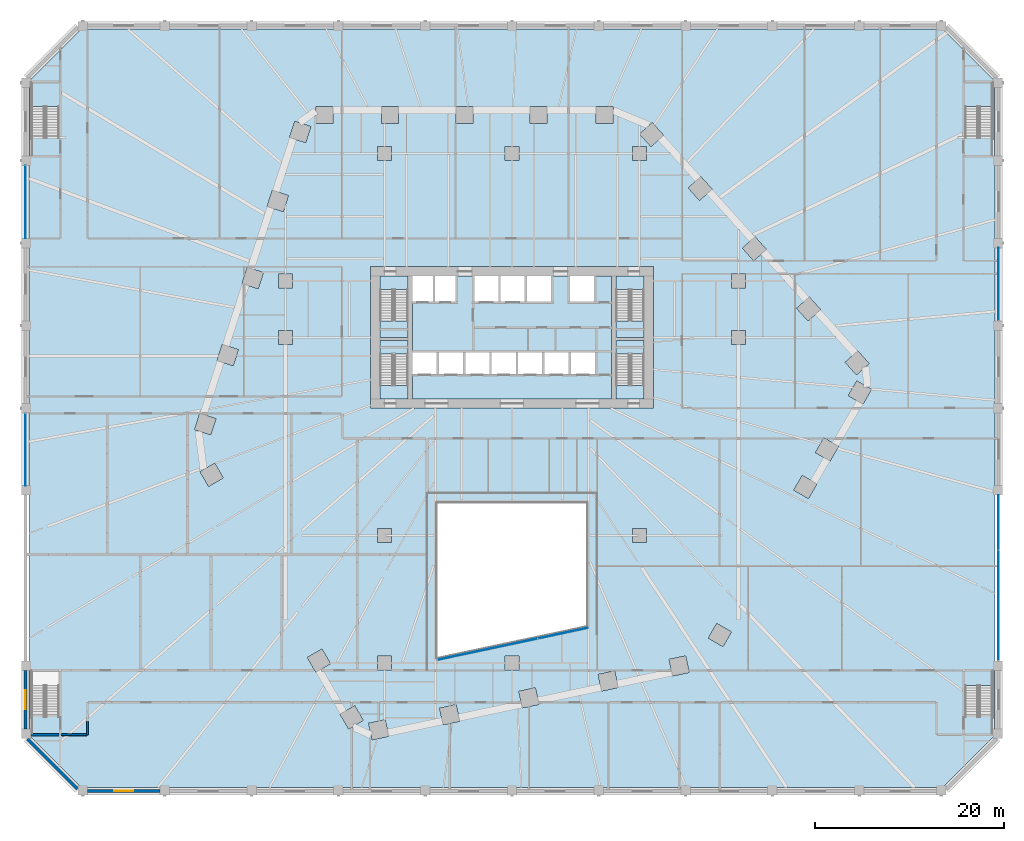
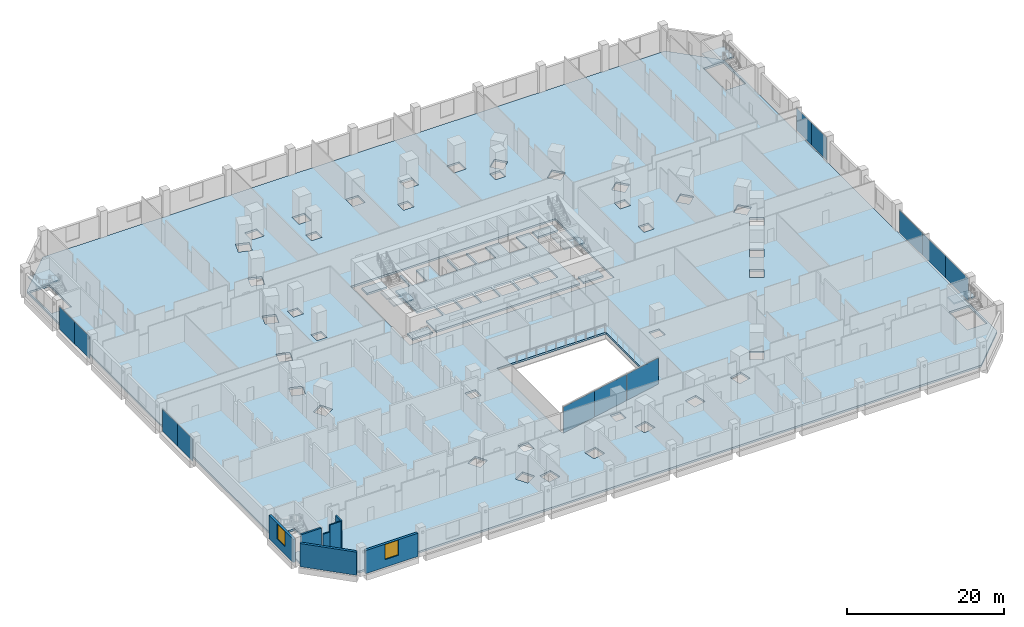
# One storey, part 12 of 33: 13 slabs, 12 plates, 7 walls, 2 windows, 2 openings, 12 elements without a shape of their own.
"""IFC4 building model written with IfcOpenShell, lengths in metres."""

from ifc_helpers import new_model, si_unit, direction, frame, frame_2d, origin, origin_2d, place, context, subcontext, project, spatial, polyline, rectangle, outline, extrude, material, layer, layer_set, type_object, element, fill, aggregate, save


model = new_model("IFC4")

# Units and contexts
model_context = context("Model", 3, precision=1e-05, world=origin(), true_north=direction((0.0, 1.0)))
body_context = subcontext(model_context, "Body", "Model", "MODEL_VIEW")
ifc_project = project(units=[si_unit("LENGTHUNIT", "METRE"), si_unit("AREAUNIT", "SQUARE_METRE"), si_unit("VOLUMEUNIT", "CUBIC_METRE"), si_unit("PLANEANGLEUNIT", "RADIAN"), si_unit("MASSUNIT", "GRAM", prefix="KILO")], contexts=[model_context])

# Site, building, storey
site_placement = place(None, origin())
site = spatial("IfcSite", under=ifc_project, at=site_placement, CompositionType="ELEMENT")
building_placement = place(site_placement, origin())
building = spatial("IfcBuilding", under=site, at=building_placement, Name="Isthmus Gate Tower", CompositionType="ELEMENT")
storey_placement = place(building_placement, frame((0.0, 0.0, 22.5)))
storey = spatial("IfcBuildingStorey", under=building, at=storey_placement, Name="L03", CompositionType="ELEMENT", Elevation=22.5)

# Slabs
ifc_material_1 = material(Name="Concrete f'c 40 MPa", Category="concrete")
ifc_layer_1 = layer(ifc_material_1, 0.300048828125)
ifc_layer_set_1 = layer_set([ifc_layer_1], Name="CORE FLOOR SLAB 300")
slab_type_1 = type_object("IfcSlabType", Name="CORE FLOOR SLAB 300", PredefinedType="FLOOR", material=ifc_layer_set_1)
slab_1_placement = place(storey_placement, frame((0.0, 0.0, -0.300048828125)))
element("IfcSlab", 1, at=slab_1_placement, inside=storey, type_object=slab_type_1, Name="L03 core floor", PredefinedType="FLOOR", context=body_context, shape_type="SweptSolid", body=[
    extrude(outline(polyline([(-11.050048828125, 1.0), (-11.050048828125, 2.402099609375), (-14.0, 2.402099609375), (-14.0, 1.0), (-11.050048828125, 1.0)])), origin(), (0.0, 0.0, 1.0), 0.300048828125),
])
slab_2_placement = place(storey_placement, frame((0.0, 0.0, -0.300048828125)))
element("IfcSlab", 2, at=slab_2_placement, inside=storey, type_object=slab_type_1, Name="L03 core floor", PredefinedType="FLOOR", context=body_context, shape_type="SweptSolid", body=[
    extrude(outline(polyline([(-14.0, 14.0), (-14.0, 12.597900390625), (-11.050048828125, 12.597900390625), (-11.050048828125, 14.0), (-14.0, 14.0)])), origin(), (0.0, 0.0, 1.0), 0.300048828125),
])
slab_3_placement = place(storey_placement, frame((0.0, 0.0, -0.300048828125)))
element("IfcSlab", 3, at=slab_3_placement, inside=storey, type_object=slab_type_1, Name="L03 core floor", PredefinedType="FLOOR", context=body_context, shape_type="SweptSolid", body=[
    extrude(outline(polyline([(10.550048828125, 14.0), (8.699951171875, 14.0), (8.699951171875, 11.300048828125), (6.14990234375, 11.300048828125), (6.14990234375, 14.0), (4.14990234375, 14.0), (4.14990234375, 11.300048828125), (1.60009765625, 11.300048828125), (1.60009765625, 14.0), (1.35009765625, 14.0), (1.35009765625, 11.300048828125), (-1.199951171875, 11.300048828125), (-1.199951171875, 14.0), (-1.449951171875, 14.0), (-1.449951171875, 11.300048828125), (-4.0, 11.300048828125), (-4.0, 14.0), (-6.0, 14.0), (-6.0, 11.300048828125), (-8.14990234375, 11.300048828125), (-8.14990234375, 14.0), (-8.39990234375, 14.0), (-8.39990234375, 11.300048828125), (-10.550048828125, 11.300048828125), (-10.550048828125, 5.89990234375), (-8.0, 5.89990234375), (-8.0, 3.60009765625), (-10.550048828125, 3.60009765625), (-10.550048828125, 1.0), (10.550048828125, 1.0), (10.550048828125, 14.0)]), holes=[polyline([(-5.199951171875, 5.89990234375), (-5.199951171875, 3.60009765625), (-7.75, 3.60009765625), (-7.75, 5.89990234375), (-5.199951171875, 5.89990234375)]), polyline([(-2.39990234375, 5.89990234375), (-2.39990234375, 3.60009765625), (-4.949951171875, 3.60009765625), (-4.949951171875, 5.89990234375), (-2.39990234375, 5.89990234375)]), polyline([(0.39990234375, 5.89990234375), (0.39990234375, 3.60009765625), (-2.14990234375, 3.60009765625), (-2.14990234375, 5.89990234375), (0.39990234375, 5.89990234375)]), polyline([(3.199951171875, 5.89990234375), (3.199951171875, 3.60009765625), (0.64990234375, 3.60009765625), (0.64990234375, 5.89990234375), (3.199951171875, 5.89990234375)]), polyline([(6.0, 5.89990234375), (6.0, 3.60009765625), (3.449951171875, 3.60009765625), (3.449951171875, 5.89990234375), (6.0, 5.89990234375)]), polyline([(8.800048828125, 5.89990234375), (8.800048828125, 3.60009765625), (6.25, 3.60009765625), (6.25, 5.89990234375), (8.800048828125, 5.89990234375)])]), origin(), (0.0, 0.0, 1.0), 0.300048828125),
])
slab_4_placement = place(storey_placement, frame((0.0, 0.0, -0.300048828125)))
element("IfcSlab", 4, at=slab_4_placement, inside=storey, type_object=slab_type_1, Name="L03 core floor", PredefinedType="FLOOR", context=body_context, shape_type="SweptSolid", body=[
    extrude(outline(polyline([(14.0, 1.0), (14.0, 2.402099609375), (11.050048828125, 2.402099609375), (11.050048828125, 1.0), (14.0, 1.0)])), origin(), (0.0, 0.0, 1.0), 0.300048828125),
])
slab_5_placement = place(storey_placement, frame((0.0, 0.0, -0.300048828125)))
element("IfcSlab", 5, at=slab_5_placement, inside=storey, type_object=slab_type_1, Name="L03 core floor", PredefinedType="FLOOR", context=body_context, shape_type="SweptSolid", body=[
    extrude(outline(polyline([(11.050048828125, 14.0), (11.050048828125, 12.597900390625), (14.0, 12.597900390625), (14.0, 14.0), (11.050048828125, 14.0)])), origin(), (0.0, 0.0, 1.0), 0.300048828125),
])

# Curtain wall, plates
ifc_material_2 = material(Name="Aluminium, pale champagne anodised", Category="aluminium")
ifc_layer_2 = layer(ifc_material_2, 0.14990234375)
ifc_layer_set_2 = layer_set([ifc_layer_2], Name="CW-3 STOREFRONT CURTAIN WALL 150 DEEP")
curtain_wall_type_1 = type_object("IfcCurtainWallType", Name="CW-3 STOREFRONT CURTAIN WALL 150 DEEP", PredefinedType="NOTDEFINED", material=ifc_layer_set_2)
curtain_wall_1_placement = place(storey_placement, origin())
curtain_wall_1 = element("IfcCurtainWall", 6, at=curtain_wall_1_placement, inside=storey, type_object=curtain_wall_type_1, Name="CW-3 E L03", PredefinedType="NOTDEFINED")
ifc_material_3 = material(Name="Laminated low-iron glass, clear", Category="glass")
ifc_layer_3 = layer(ifc_material_3, 0.028076171875)
ifc_layer_set_3 = layer_set([ifc_layer_3], Name="CW-3 CLEAR GLASS LITE 28")
plate_type_1 = type_object("IfcPlateType", Name="CW-3 CLEAR GLASS LITE 28", PredefinedType="CURTAIN_PANEL", material=ifc_layer_set_3)
plate_1_placement = place(storey_placement, frame((51.574951171875, -23.836669921875, -0.300048828125), z_axis=(0.0, 0.0, 1.0), x_axis=(0.0, 1.0, 0.0)))
plate_1 = element("IfcPlate", 7, at=plate_1_placement, type_object=plate_type_1, Name="CW-3 glass lite", PredefinedType="CURTAIN_PANEL", context=body_context, shape_type="SweptSolid", body=[
    extrude(rectangle(XDim=5.806640625, YDim=0.028076171875, at=origin_2d()), origin(), (0.0, 0.0, 1.0), 3.47998046875),
])
plate_2_placement = place(storey_placement, frame((51.574951171875, -18.0, -0.300048828125), z_axis=(0.0, 0.0, 1.0), x_axis=(0.0, 1.0, 0.0)))
plate_2 = element("IfcPlate", 8, at=plate_2_placement, type_object=plate_type_1, Name="CW-3 glass lite", PredefinedType="CURTAIN_PANEL", context=body_context, shape_type="SweptSolid", body=[
    extrude(rectangle(XDim=5.86669921875, YDim=0.028076171875, at=origin_2d()), origin(), (0.0, 0.0, 1.0), 3.47998046875),
])
plate_3_placement = place(storey_placement, frame((51.574951171875, -12.103271484375, -0.300048828125), z_axis=(0.0, 0.0, 1.0), x_axis=(0.0, 1.0, 0.0)))
plate_3 = element("IfcPlate", 9, at=plate_3_placement, type_object=plate_type_1, Name="CW-3 glass lite", PredefinedType="CURTAIN_PANEL", context=body_context, shape_type="SweptSolid", body=[
    extrude(rectangle(XDim=5.806640625, YDim=0.028076171875, at=origin_2d()), origin(), (0.0, 0.0, 1.0), 3.47998046875),
])
aggregate(curtain_wall_1, [plate_1, plate_2, plate_3])

curtain_wall_2_placement = place(storey_placement, origin())
curtain_wall_2 = element("IfcCurtainWall", 10, at=curtain_wall_2_placement, inside=storey, type_object=curtain_wall_type_1, Name="CW-3 E L03", PredefinedType="NOTDEFINED")
plate_4_placement = place(storey_placement, frame((51.574951171875, 11.217529296875, -0.300048828125), z_axis=(0.0, 0.0, 1.0), x_axis=(0.0, 1.0, 0.0)))
plate_4 = element("IfcPlate", 11, at=plate_4_placement, type_object=plate_type_1, Name="CW-3 glass lite", PredefinedType="CURTAIN_PANEL", context=body_context, shape_type="SweptSolid", body=[
    extrude(rectangle(XDim=3.81494140625, YDim=0.028076171875, at=origin_2d()), origin(), (0.0, 0.0, 1.0), 3.47998046875),
])
plate_5_placement = place(storey_placement, frame((51.574951171875, 15.0625, -0.300048828125), z_axis=(0.0, 0.0, 1.0), x_axis=(0.0, 1.0, 0.0)))
plate_5 = element("IfcPlate", 12, at=plate_5_placement, type_object=plate_type_1, Name="CW-3 glass lite", PredefinedType="CURTAIN_PANEL", context=body_context, shape_type="SweptSolid", body=[
    extrude(rectangle(XDim=3.875, YDim=0.028076171875, at=origin_2d()), origin(), (0.0, 0.0, 1.0), 3.47998046875),
])
aggregate(curtain_wall_2, [plate_4, plate_5])

curtain_wall_3_placement = place(storey_placement, origin())
curtain_wall_3 = element("IfcCurtainWall", 13, at=curtain_wall_3_placement, inside=storey, type_object=curtain_wall_type_1, Name="CW-3 W L03", PredefinedType="NOTDEFINED")
plate_6_placement = place(storey_placement, frame((-51.574951171875, 23.782470703125, -0.300048828125), z_axis=(0.0, 0.0, 1.0), x_axis=(0.0, -1.0, 0.0)))
plate_6 = element("IfcPlate", 14, at=plate_6_placement, type_object=plate_type_1, Name="CW-3 glass lite", PredefinedType="CURTAIN_PANEL", context=body_context, shape_type="SweptSolid", body=[
    extrude(rectangle(XDim=3.81494140625, YDim=0.028076171875, at=origin_2d()), origin(), (0.0, 0.0, 1.0), 3.47998046875),
])
plate_7_placement = place(storey_placement, frame((-51.574951171875, 19.9375, -0.300048828125), z_axis=(0.0, 0.0, 1.0), x_axis=(0.0, -1.0, 0.0)))
plate_7 = element("IfcPlate", 15, at=plate_7_placement, type_object=plate_type_1, Name="CW-3 glass lite", PredefinedType="CURTAIN_PANEL", context=body_context, shape_type="SweptSolid", body=[
    extrude(rectangle(XDim=3.875, YDim=0.028076171875, at=origin_2d()), origin(), (0.0, 0.0, 1.0), 3.47998046875),
])
aggregate(curtain_wall_3, [plate_6, plate_7])

curtain_wall_4_placement = place(storey_placement, origin())
curtain_wall_4 = element("IfcCurtainWall", 16, at=curtain_wall_4_placement, inside=storey, type_object=curtain_wall_type_1, Name="CW-3 W L03", PredefinedType="NOTDEFINED")
plate_8_placement = place(storey_placement, frame((-51.574951171875, -2.455078125, -0.300048828125), z_axis=(0.0, 0.0, 1.0), x_axis=(0.0, -1.0, 0.0)))
plate_8 = element("IfcPlate", 17, at=plate_8_placement, type_object=plate_type_1, Name="CW-3 glass lite", PredefinedType="CURTAIN_PANEL", context=body_context, shape_type="SweptSolid", body=[
    extrude(rectangle(XDim=3.7900390625, YDim=0.028076171875, at=origin_2d()), origin(), (0.0, 0.0, 1.0), 3.47998046875),
])
plate_9_placement = place(storey_placement, frame((-51.574951171875, -6.27490234375, -0.300048828125), z_axis=(0.0, 0.0, 1.0), x_axis=(0.0, -1.0, 0.0)))
plate_9 = element("IfcPlate", 18, at=plate_9_placement, type_object=plate_type_1, Name="CW-3 glass lite", PredefinedType="CURTAIN_PANEL", context=body_context, shape_type="SweptSolid", body=[
    extrude(rectangle(XDim=3.85009765625, YDim=0.028076171875, at=origin_2d()), origin(), (0.0, 0.0, 1.0), 3.47998046875),
])
aggregate(curtain_wall_4, [plate_8, plate_9])

ifc_material_4 = material(Name="Aluminium, pale champagne anodised", Category="aluminium")
ifc_layer_4 = layer(ifc_material_4, 0.199951171875)
ifc_layer_set_4 = layer_set([ifc_layer_4], Name="CW-4 ATRIUM CURTAIN WALL 200 DEEP")
curtain_wall_type_2 = type_object("IfcCurtainWallType", Name="CW-4 ATRIUM CURTAIN WALL 200 DEEP", PredefinedType="NOTDEFINED", material=ifc_layer_set_4)
curtain_wall_5_placement = place(storey_placement, origin())
curtain_wall_5 = element("IfcCurtainWall", 19, at=curtain_wall_5_placement, inside=storey, type_object=curtain_wall_type_2, Name="CW-4 atrium south L03", PredefinedType="NOTDEFINED")
ifc_material_5 = material(Name="Laminated low-iron glass, clear", Category="glass")
ifc_layer_5 = layer(ifc_material_5, 0.0439453125)
ifc_layer_set_5 = layer_set([ifc_layer_5], Name="CW-4 ATRIUM GLASS PANEL 44")
plate_type_2 = type_object("IfcPlateType", Name="CW-4 ATRIUM GLASS PANEL 44", PredefinedType="CURTAIN_PANEL", material=ifc_layer_set_5)
plate_10_placement = place(storey_placement, frame((-5.262939453125, -26.11572265625, 0.0), z_axis=(0.0, 0.0, 1.0), x_axis=(0.978147600734, 0.207911690818, 0.0)))
plate_10 = element("IfcPlate", 20, at=plate_10_placement, type_object=plate_type_2, Name="CW-4 louvre panel", PredefinedType="CURTAIN_PANEL", context=body_context, shape_type="SweptSolid", body=[
    extrude(rectangle(XDim=5.37255859375, YDim=0.0439453125, at=origin_2d()), origin(), (0.0, 0.0, 1.0), 4.050048828125),
])
plate_11_placement = place(storey_placement, frame((0.03125, -24.990234375, 0.0), z_axis=(0.0, 0.0, 1.0), x_axis=(0.978147600734, 0.207911690818, 0.0)))
plate_11 = element("IfcPlate", 21, at=plate_11_placement, type_object=plate_type_2, Name="CW-4 louvre panel", PredefinedType="CURTAIN_PANEL", context=body_context, shape_type="SweptSolid", body=[
    extrude(rectangle(XDim=5.452392578125, YDim=0.0439453125, at=origin_2d()), origin(), (0.0, 0.0, 1.0), 4.050048828125),
])
plate_12_placement = place(storey_placement, frame((5.403564453125, -23.848388671875, 0.0), z_axis=(0.0, 0.0, 1.0), x_axis=(0.978147600734, 0.207911690818, 0.0)))
plate_12 = element("IfcPlate", 22, at=plate_12_placement, type_object=plate_type_2, Name="CW-4 louvre panel", PredefinedType="CURTAIN_PANEL", context=body_context, shape_type="SweptSolid", body=[
    extrude(rectangle(XDim=5.37255859375, YDim=0.0439453125, at=origin_2d()), origin(), (0.0, 0.0, 1.0), 4.050048828125),
])
aggregate(curtain_wall_5, [plate_10, plate_11, plate_12])

# Slab
ifc_material_6 = material(Name="Concrete f'c 40 MPa", Category="concrete")
ifc_layer_6 = layer(ifc_material_6, 0.300048828125)
ifc_layer_set_6 = layer_set([ifc_layer_6], Name="PODIUM FLOOR SLAB 300")
slab_type_2 = type_object("IfcSlabType", Name="PODIUM FLOOR SLAB 300", PredefinedType="FLOOR", material=ifc_layer_set_6)
slab_6_placement = place(storey_placement, frame((0.0, 0.0, -0.300048828125)))
element("IfcSlab", 23, at=slab_6_placement, inside=storey, type_object=slab_type_2, Name="str-slab-L03-1", PredefinedType="FLOOR", context=body_context, shape_type="SweptSolid", body=[
    extrude(outline(polyline([(-51.199951171875, -34.668701171875), (-51.199951171875, 34.668701171875), (-45.668701171875, 40.199951171875), (45.668701171875, 40.199951171875), (51.199951171875, 34.668701171875), (51.199951171875, -34.668701171875), (45.668701171875, -40.199951171875), (-45.668701171875, -40.199951171875), (-51.199951171875, -34.668701171875)]), holes=[polyline([(-13.06494140625, -34.777099609375), (-13.439208984375, -33.016357421875), (-15.19970703125, -33.390625), (-14.82568359375, -35.1513671875), (-13.06494140625, -34.777099609375)]), polyline([(-17.32470703125, -33.99267578125), (-15.765869140625, -33.0927734375), (-16.666015625, -31.533935546875), (-18.224609375, -32.433837890625), (-17.32470703125, -33.99267578125)]), polyline([(-48.0, -32.52490234375), (-48.0, -27.928955078125), (-50.949951171875, -27.928955078125), (-50.949951171875, -32.52490234375), (-48.0, -32.52490234375)]), polyline([(-21.696533203125, -26.420654296875), (-20.79638671875, -27.9794921875), (-19.237548828125, -27.079345703125), (-20.1376953125, -25.5205078125), (-21.696533203125, -26.420654296875)]), polyline([(-31.5048828125, -5.831787109375), (-33.063720703125, -6.73193359375), (-32.163818359375, -8.290771484375), (-30.60498046875, -7.390869140625), (-31.5048828125, -5.831787109375)]), polyline([(-33.08984375, -0.548828125), (-33.64599609375, -2.2607421875), (-31.93408203125, -2.817138671875), (-31.3779296875, -1.105224609375), (-33.08984375, -0.548828125)]), polyline([(-30.7138671875, 6.76416015625), (-31.27001953125, 5.052001953125), (-29.55810546875, 4.495849609375), (-29.001953125, 6.207763671875), (-30.7138671875, 6.76416015625)]), polyline([(-24.75, 8.25), (-24.75, 6.75), (-23.25, 6.75), (-23.25, 8.25), (-24.75, 8.25)]), polyline([(-24.75, 12.75), (-23.25, 12.75), (-23.25, 14.25), (-24.75, 14.25), (-24.75, 12.75)]), polyline([(-26.34765625, 14.376708984375), (-28.0595703125, 14.93310546875), (-28.61572265625, 13.22119140625), (-26.90380859375, 12.664794921875), (-26.34765625, 14.376708984375)]), polyline([(-23.693359375, 22.545654296875), (-25.4052734375, 23.10205078125), (-25.96142578125, 21.389892578125), (-24.24951171875, 20.833740234375), (-23.693359375, 22.545654296875)]), polyline([(-14.25, 26.25), (-12.75, 26.25), (-12.75, 27.75), (-14.25, 27.75), (-14.25, 26.25)]), polyline([(-23.585205078125, 28.702880859375), (-21.873291015625, 28.146728515625), (-21.317138671875, 29.858642578125), (-23.029052734375, 30.4150390625), (-23.585205078125, 28.702880859375)]), polyline([(-20.776123046875, 32.0), (-20.776123046875, 30.199951171875), (-18.976318359375, 30.199951171875), (-18.976318359375, 32.0), (-20.776123046875, 32.0)]), polyline([(-50.949951171875, 28.824951171875), (-48.0, 28.824951171875), (-48.0, 34.425048828125), (-50.949951171875, 34.425048828125), (-50.949951171875, 28.824951171875)]), polyline([(-7.30419921875, -33.552490234375), (-5.543701171875, -33.17822265625), (-5.917724609375, -31.417724609375), (-7.678466796875, -31.7919921875), (-7.30419921875, -33.552490234375)]), polyline([(2.858154296875, -31.392578125), (2.48388671875, -29.6318359375), (0.72314453125, -30.006103515625), (1.097412109375, -31.7666015625), (2.858154296875, -31.392578125)]), polyline([(9.4990234375, -29.98095703125), (11.259765625, -29.606689453125), (10.885498046875, -27.845947265625), (9.124755859375, -28.22021484375), (9.4990234375, -29.98095703125)]), polyline([(-14.25, -26.25), (-14.25, -27.75), (-12.75, -27.75), (-12.75, -26.25), (-14.25, -26.25)]), polyline([(-0.75, -27.75), (0.75, -27.75), (0.75, -26.25), (-0.75, -26.25), (-0.75, -27.75)]), polyline([(-8.0, -10.0), (-8.0, -26.544189453125), (8.0, -23.143310546875), (8.0, -10.0), (-8.0, -10.0)]), polyline([(-14.25, -12.75), (-14.25, -14.25), (-12.75, -14.25), (-12.75, -12.75), (-14.25, -12.75)]), polyline([(12.75, -14.25), (14.25, -14.25), (14.25, -12.75), (12.75, -12.75), (12.75, -14.25)]), polyline([(15.0, 0.0), (15.0, 15.0), (-15.0, 15.0), (-15.0, 0.0), (15.0, 0.0)]), polyline([(-0.75, 26.25), (0.75, 26.25), (0.75, 27.75), (-0.75, 27.75), (-0.75, 26.25)]), polyline([(12.75, 27.75), (12.75, 26.25), (14.25, 26.25), (14.25, 27.75), (12.75, 27.75)]), polyline([(-12.006591796875, 30.199951171875), (-12.006591796875, 32.0), (-13.806640625, 32.0), (-13.806640625, 30.199951171875), (-12.006591796875, 30.199951171875)]), polyline([(-4.13720703125, 32.0), (-5.937255859375, 32.0), (-5.937255859375, 30.199951171875), (-4.13720703125, 30.199951171875), (-4.13720703125, 32.0)]), polyline([(3.732421875, 30.199951171875), (3.732421875, 32.0), (1.932373046875, 32.0), (1.932373046875, 30.199951171875), (3.732421875, 30.199951171875)]), polyline([(10.701904296875, 30.199951171875), (10.701904296875, 32.0), (8.90185546875, 32.0), (8.90185546875, 30.199951171875), (10.701904296875, 30.199951171875)]), polyline([(50.949951171875, -32.52490234375), (50.949951171875, -27.928955078125), (48.0, -27.928955078125), (48.0, -32.52490234375), (50.949951171875, -32.52490234375)]), polyline([(17.020263671875, -28.382080078125), (18.781005859375, -28.008056640625), (18.40673828125, -26.247314453125), (16.64599609375, -26.62158203125), (17.020263671875, -28.382080078125)]), polyline([(22.36181640625, -25.26806640625), (23.261962890625, -23.709228515625), (21.702880859375, -22.80908203125), (20.802978515625, -24.3681640625), (22.36181640625, -25.26806640625)]), polyline([(32.319580078125, -8.0205078125), (30.760986328125, -7.12060546875), (29.86083984375, -8.679443359375), (31.419677734375, -9.579345703125), (32.319580078125, -8.0205078125)]), polyline([(34.6162109375, -4.04296875), (33.057373046875, -3.14306640625), (32.1572265625, -4.701904296875), (33.71630859375, -5.601806640625), (34.6162109375, -4.04296875)]), polyline([(37.200927734375, 0.433837890625), (38.100830078125, 1.99267578125), (36.5419921875, 2.892578125), (35.64208984375, 1.333984375), (37.200927734375, 0.433837890625)]), polyline([(36.51708984375, 3.531982421875), (37.854736328125, 4.736328125), (36.650146484375, 6.073974609375), (35.3125, 4.869384765625), (36.51708984375, 3.531982421875)]), polyline([(23.25, 8.25), (23.25, 6.75), (24.75, 6.75), (24.75, 8.25), (23.25, 8.25)]), polyline([(31.505126953125, 11.788330078125), (30.16748046875, 10.583740234375), (31.371826171875, 9.24609375), (32.70947265625, 10.45068359375), (31.505126953125, 11.788330078125)]), polyline([(23.25, 14.25), (23.25, 12.75), (24.75, 12.75), (24.75, 14.25), (23.25, 14.25)]), polyline([(25.62451171875, 15.62939453125), (26.962158203125, 16.833740234375), (25.7578125, 18.17138671875), (24.419921875, 16.967041015625), (25.62451171875, 15.62939453125)]), polyline([(21.214599609375, 23.216796875), (20.01025390625, 24.554443359375), (18.672607421875, 23.35009765625), (19.877197265625, 22.012451171875), (21.214599609375, 23.216796875)]), polyline([(16.069580078125, 28.93115234375), (14.864990234375, 30.268798828125), (13.52734375, 29.064453125), (14.73193359375, 27.726806640625), (16.069580078125, 28.93115234375)]), polyline([(48.0, 28.824951171875), (50.949951171875, 28.824951171875), (50.949951171875, 34.425048828125), (48.0, 34.425048828125), (48.0, 28.824951171875)])]), origin(), (0.0, 0.0, 1.0), 0.300048828125),
])

# Stair, slab
ifc_material_7 = material(Name="Concrete f'c 40 MPa", Category="concrete")
stair_type_1 = type_object("IfcStairType", Name="Podium exit stair 1400 wide flights", PredefinedType="HALF_TURN_STAIR", material=ifc_material_7)
stair_1_placement = place(storey_placement, origin())
stair_1 = element("IfcStair", 24, at=stair_1_placement, inside=storey, type_object=stair_type_1, Name="L03 Podium Exit Stair ST4", PredefinedType="HALF_TURN_STAIR")
ifc_material_8 = material(Name="Concrete f'c 40 MPa", Category="concrete")
ifc_layer_7 = layer(ifc_material_8, 0.199951171875)
ifc_layer_set_7 = layer_set([ifc_layer_7], Name="Podium stair landing 200")
slab_type_3 = type_object("IfcSlabType", Name="Podium stair landing 200", PredefinedType="LANDING", material=ifc_layer_set_7)
slab_7_placement = place(storey_placement, frame((0.0, 0.0, 2.050048828125)))
slab_7 = element("IfcSlab", 25, at=slab_7_placement, type_object=slab_type_3, Name="ST4 landing 1", PredefinedType="LANDING", context=body_context, shape_type="SweptSolid", body=[
    extrude(outline(polyline([(51.050048828125, -29.364990234375), (51.050048828125, -27.72900390625), (47.89990234375, -27.72900390625), (47.89990234375, -29.364990234375), (51.050048828125, -29.364990234375)])), origin(), (0.0, 0.0, 1.0), 0.199951171875),
])
aggregate(stair_1, [slab_7])

stair_2_placement = place(storey_placement, origin())
stair_2 = element("IfcStair", 26, at=stair_2_placement, inside=storey, type_object=stair_type_1, Name="L03 Podium Exit Stair ST5", PredefinedType="HALF_TURN_STAIR")
slab_8_placement = place(storey_placement, frame((0.0, 0.0, 2.050048828125)))
slab_8 = element("IfcSlab", 27, at=slab_8_placement, type_object=slab_type_3, Name="ST5 landing 1", PredefinedType="LANDING", context=body_context, shape_type="SweptSolid", body=[
    extrude(outline(polyline([(51.050048828125, 31.985107421875), (51.050048828125, 34.625), (47.89990234375, 34.625), (47.89990234375, 31.985107421875), (51.050048828125, 31.985107421875)])), origin(), (0.0, 0.0, 1.0), 0.199951171875),
])
aggregate(stair_2, [slab_8])

stair_3_placement = place(storey_placement, origin())
stair_3 = element("IfcStair", 28, at=stair_3_placement, inside=storey, type_object=stair_type_1, Name="L03 Podium Exit Stair ST6", PredefinedType="HALF_TURN_STAIR")
slab_9_placement = place(storey_placement, frame((0.0, 0.0, 2.050048828125)))
slab_9 = element("IfcSlab", 29, at=slab_9_placement, type_object=slab_type_3, Name="ST6 landing 1", PredefinedType="LANDING", context=body_context, shape_type="SweptSolid", body=[
    extrude(outline(polyline([(-47.89990234375, 31.985107421875), (-47.89990234375, 34.625), (-51.050048828125, 34.625), (-51.050048828125, 31.985107421875), (-47.89990234375, 31.985107421875)])), origin(), (0.0, 0.0, 1.0), 0.199951171875),
])
aggregate(stair_3, [slab_9])

ifc_material_9 = material(Name="Concrete f'c 40 MPa", Category="concrete")
stair_type_2 = type_object("IfcStairType", Name="CORE STAIR 26 RISERS", PredefinedType="HALF_TURN_STAIR", material=ifc_material_9)
stair_4_placement = place(storey_placement, origin())
stair_4 = element("IfcStair", 30, at=stair_4_placement, inside=storey, type_object=stair_type_2, Name="L03 Exit Stair 1", PredefinedType="HALF_TURN_STAIR")
ifc_material_10 = material(Name="Concrete f'c 40 MPa", Category="concrete")
ifc_layer_8 = layer(ifc_material_10, 0.199951171875)
ifc_layer_set_8 = layer_set([ifc_layer_8])
slab_type_4 = type_object("IfcSlabType", Name="STAIR LANDING RC 200", PredefinedType="LANDING", material=ifc_layer_set_8)
slab_10_placement = place(storey_placement, frame((0.0, 0.0, 2.050048828125)))
slab_10 = element("IfcSlab", 31, at=slab_10_placement, type_object=slab_type_4, Name="ST1 landing 1", PredefinedType="LANDING", context=body_context, shape_type="SweptSolid", body=[
    extrude(outline(polyline([(-14.0, 9.239990234375), (-14.0, 7.5), (-11.050048828125, 7.5), (-11.050048828125, 9.239990234375), (-14.0, 9.239990234375)])), origin(), (0.0, 0.0, 1.0), 0.199951171875),
])
aggregate(stair_4, [slab_10])

stair_5_placement = place(storey_placement, origin())
stair_5 = element("IfcStair", 32, at=stair_5_placement, inside=storey, type_object=stair_type_2, Name="L03 Exit Stair 2", PredefinedType="HALF_TURN_STAIR")
slab_11_placement = place(storey_placement, frame((0.0, 0.0, 2.050048828125)))
slab_11 = element("IfcSlab", 33, at=slab_11_placement, type_object=slab_type_4, Name="ST2 landing 1", PredefinedType="LANDING", context=body_context, shape_type="SweptSolid", body=[
    extrude(outline(polyline([(11.050048828125, 9.239990234375), (11.050048828125, 7.5), (14.0, 7.5), (14.0, 9.239990234375), (11.050048828125, 9.239990234375)])), origin(), (0.0, 0.0, 1.0), 0.199951171875),
])
aggregate(stair_5, [slab_11])

stair_6_placement = place(storey_placement, origin())
stair_6 = element("IfcStair", 34, at=stair_6_placement, inside=storey, type_object=stair_type_2, Name="L03 Exit Stair 7", PredefinedType="HALF_TURN_STAIR")
slab_12_placement = place(storey_placement, frame((0.0, 0.0, 2.050048828125)))
slab_12 = element("IfcSlab", 35, at=slab_12_placement, type_object=slab_type_4, Name="ST7 landing 1", PredefinedType="LANDING", context=body_context, shape_type="SweptSolid", body=[
    extrude(outline(polyline([(-11.050048828125, 5.760009765625), (-11.050048828125, 7.199951171875), (-14.0, 7.199951171875), (-14.0, 5.760009765625), (-11.050048828125, 5.760009765625)])), origin(), (0.0, 0.0, 1.0), 0.199951171875),
])
aggregate(stair_6, [slab_12])

stair_7_placement = place(storey_placement, origin())
stair_7 = element("IfcStair", 36, at=stair_7_placement, inside=storey, type_object=stair_type_2, Name="L03 Exit Stair 8", PredefinedType="HALF_TURN_STAIR")
slab_13_placement = place(storey_placement, frame((0.0, 0.0, 2.050048828125)))
slab_13 = element("IfcSlab", 37, at=slab_13_placement, type_object=slab_type_4, Name="ST8 landing 1", PredefinedType="LANDING", context=body_context, shape_type="SweptSolid", body=[
    extrude(outline(polyline([(14.0, 5.760009765625), (14.0, 7.199951171875), (11.050048828125, 7.199951171875), (11.050048828125, 5.760009765625), (14.0, 5.760009765625)])), origin(), (0.0, 0.0, 1.0), 0.199951171875),
])
aggregate(stair_7, [slab_13])

# Walls
ifc_material_11 = material(Name="Concrete f'c 30 MPa", Category="concrete")
ifc_layer_9 = layer(ifc_material_11, 0.199951171875)
ifc_layer_set_9 = layer_set([ifc_layer_9], Name="Fire-rated block wall 200")
wall_type_1 = type_object("IfcWallType", Name="Fire-rated block wall 200", PredefinedType="PARTITIONING", material=ifc_layer_set_9)
wall_1_placement = place(storey_placement, frame((-47.75, -34.60009765625, 0.0), z_axis=(0.0, 0.0, 1.0), x_axis=(1.0, 0.0, 0.0)))
element("IfcWall", 38, at=wall_1_placement, inside=storey, type_object=wall_type_1, Name="Fire-rated wall", PredefinedType="PARTITIONING", context=body_context, shape_type="SweptSolid", body=[
    extrude(rectangle(XDim=1.0, YDim=0.199951171875, at=frame_2d((0.5, 0.0))), origin(), (0.0, 0.0, 1.0), 3.111083984375),
])
wall_2_placement = place(storey_placement, frame((-46.75, -34.60009765625, 0.0), z_axis=(0.0, 0.0, 1.0), x_axis=(1.0, 0.0, 0.0)))
element("IfcWall", 39, at=wall_2_placement, inside=storey, type_object=wall_type_1, Name="Fire-rated wall", PredefinedType="PARTITIONING", context=body_context, shape_type="SweptSolid", body=[
    extrude(rectangle(XDim=1.64990234375, YDim=0.199951171875, at=frame_2d((0.824951171875, 0.0))), origin(), (0.0, 0.0, 1.0), 4.199951171875),
])
wall_3_placement = place(storey_placement, frame((-45.0, -34.60009765625, 0.0), z_axis=(0.0, 0.0, 1.0), x_axis=(0.0, 1.0, 0.0)))
element("IfcWall", 40, at=wall_3_placement, inside=storey, type_object=wall_type_1, Name="Fire-rated wall", PredefinedType="PARTITIONING", context=body_context, shape_type="SweptSolid", body=[
    extrude(rectangle(XDim=1.3994140625, YDim=0.199951171875, at=frame_2d((0.69970703125, 0.0))), origin(), (0.0, 0.0, 1.0), 4.199951171875),
])

# Wall, opening, window
ifc_material_12 = material(Name="Precast concrete C40/50, limestone-faced", Category="masonry")
ifc_layer_10 = layer(ifc_material_12, 0.35009765625)
ifc_layer_set_10 = layer_set([ifc_layer_10], Name="PODIUM CLADDING WALL 350")
wall_type_2 = type_object("IfcWallType", Name="PODIUM CLADDING WALL 350", PredefinedType="SOLIDWALL", material=ifc_layer_set_10)
wall_4_placement = place(storey_placement, frame((-45.0, -40.574951171875, -0.300048828125), z_axis=(0.0, 0.0, 1.0), x_axis=(1.0, 0.0, 0.0)))
wall_4 = element("IfcWall", 41, at=wall_4_placement, inside=storey, type_object=wall_type_2, Name="PODIUM WALL", PredefinedType="SOLIDWALL", context=body_context, shape_type="SweptSolid", body=[
    extrude(rectangle(XDim=7.699951171875, YDim=0.35009765625, at=frame_2d((3.85009765625, 0.0))), origin(), (0.0, 0.0, 1.0), 3.60009765625),
])
opening_1_placement = place(wall_4_placement, frame((2.85009765625, 0.0, 1.199951171875)))
opening_1 = element("IfcOpeningElement", 42, at=opening_1_placement, cuts=wall_4, Name="Opening W033", PredefinedType="OPENING", context=body_context, shape_type="SweptSolid", body=[
    extrude(rectangle(XDim=2.0, YDim=2.35009765625, at=frame_2d((1.0, 1.175048828125))), frame((0.0, 0.18505859375, 0.0), z_axis=(0.0, -1.0, 0.0), x_axis=(1.0, 0.0, 0.0)), (0.0, 0.0, 1.0), 0.3701171875),
])
ifc_material_13 = material(Name="Aluminium, pale champagne anodised, laminated glass", Category="aluminium")
window_type = type_object("IfcWindowType", Name="PODIUM SLOT WINDOW 2000 X 2350", PartitioningType="SINGLE_PANEL", PredefinedType="WINDOW", material=ifc_material_13)
window_1_placement = place(opening_1_placement, origin())
window_1 = element("IfcWindow", 43, at=window_1_placement, inside=storey, type_object=window_type, Name="SLOT WINDOW", OverallHeight=2.35009765625, OverallWidth=2.0, PartitioningType="SINGLE_PANEL", PredefinedType="WINDOW", context=body_context, shape_type="SweptSolid", body=[
    extrude(rectangle(XDim=2.0, YDim=2.35009765625, at=frame_2d((1.0, 1.175048828125))), frame((0.0, 0.030029296875, 0.0), z_axis=(0.0, -1.0, 0.0), x_axis=(1.0, 0.0, 0.0)), (0.0, 0.0, 1.0), 0.06005859375),
])
fill(opening_1, window_1)

wall_5_placement = place(storey_placement, frame((-51.574951171875, -27.800048828125, -0.300048828125), z_axis=(0.0, 0.0, 1.0), x_axis=(0.0, -1.0, 0.0)))
wall_5 = element("IfcWall", 44, at=wall_5_placement, inside=storey, type_object=wall_type_2, Name="PODIUM WALL", PredefinedType="SOLIDWALL", context=body_context, shape_type="SweptSolid", body=[
    extrude(rectangle(XDim=6.199951171875, YDim=0.35009765625, at=frame_2d((3.10009765625, 0.0))), origin(), (0.0, 0.0, 1.0), 3.60009765625),
])
opening_2_placement = place(wall_5_placement, frame((2.10009765625, 0.0, 1.199951171875)))
opening_2 = element("IfcOpeningElement", 45, at=opening_2_placement, cuts=wall_5, Name="Opening W061", PredefinedType="OPENING", context=body_context, shape_type="SweptSolid", body=[
    extrude(rectangle(XDim=2.0, YDim=2.35009765625, at=frame_2d((1.0, 1.175048828125))), frame((0.0, 0.18505859375, 0.0), z_axis=(0.0, -1.0, 0.0), x_axis=(1.0, 0.0, 0.0)), (0.0, 0.0, 1.0), 0.3701171875),
])
window_2_placement = place(opening_2_placement, origin())
window_2 = element("IfcWindow", 46, at=window_2_placement, inside=storey, type_object=window_type, Name="SLOT WINDOW", OverallHeight=2.35009765625, OverallWidth=2.0, PartitioningType="SINGLE_PANEL", PredefinedType="WINDOW", context=body_context, shape_type="SweptSolid", body=[
    extrude(rectangle(XDim=2.0, YDim=2.35009765625, at=frame_2d((1.0, 1.175048828125))), frame((0.0, 0.030029296875, 0.0), z_axis=(0.0, -1.0, 0.0), x_axis=(1.0, 0.0, 0.0)), (0.0, 0.0, 1.0), 0.06005859375),
])
fill(opening_2, window_2)

# Walls
wall_6_placement = place(storey_placement, frame((-51.327392578125, -35.071533203125, -0.300048828125), z_axis=(0.0, 0.0, 1.0), x_axis=(0.707106781187, -0.707106781187, 0.0)))
element("IfcWall", 47, at=wall_6_placement, inside=storey, type_object=wall_type_2, Name="PODIUM WALL", PredefinedType="SOLIDWALL", context=body_context, shape_type="SweptSolid", body=[
    extrude(rectangle(XDim=7.432861328125, YDim=0.35009765625, at=frame_2d((3.71630859375, 0.0))), origin(), (0.0, 0.0, 1.0), 3.60009765625),
])
ifc_material_14 = material(Name="Concrete f'c 40 MPa", Category="concrete")
ifc_layer_11 = layer(ifc_material_14, 0.25)
ifc_layer_set_11 = layer_set([ifc_layer_11])
wall_type_3 = type_object("IfcWallType", Name="Stair shaft wall 250 reinforced concrete", PredefinedType="SHEAR", material=ifc_layer_set_11)
wall_7_placement = place(storey_placement, frame((-51.0, -34.60009765625, 0.0), z_axis=(0.0, 0.0, 1.0), x_axis=(1.0, 0.0, 0.0)))
element("IfcWall", 48, at=wall_7_placement, inside=storey, type_object=wall_type_3, Name="Stair shaft wall", PredefinedType="SHEAR", context=body_context, shape_type="SweptSolid", body=[
    extrude(rectangle(XDim=3.0, YDim=0.25, at=frame_2d((1.5, 0.0))), origin(), (0.0, 0.0, 1.0), 4.199951171875),
])

save(model, "model.ifc")
